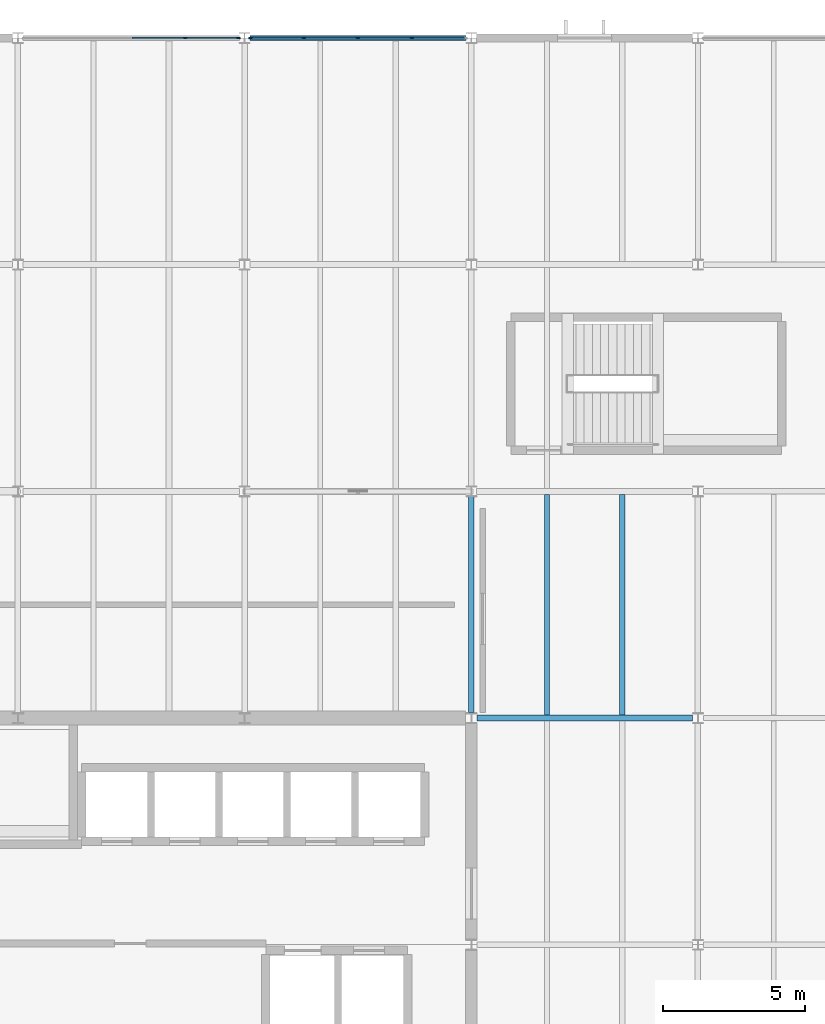
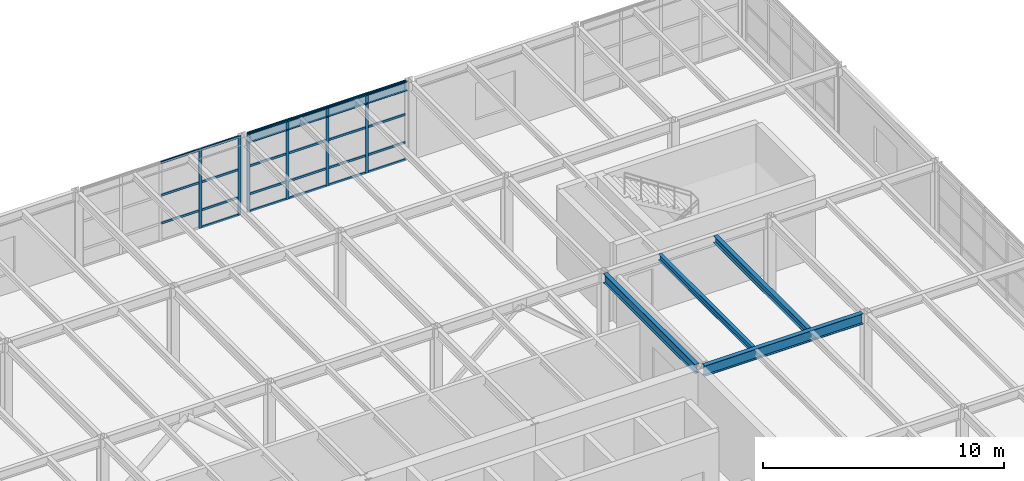
# One storey, part 19 of 50: 29 members, 5 beams, 2 elements without a shape of their own.
"""IFC4 building model written with IfcOpenShell, lengths in metres."""

import ifcopenshell
import ifcopenshell.guid

model = None  # the IFC model being written
_history = None  # IfcOwnerHistory: only IFC2X3 demands one
_inside = {}  # id of a spatial element -> (the spatial element, [elements in it])
_under = {}  # id of a project, library or spatial element -> (it, [spatial elements below it])
_declared = {}  # id of a project -> (the project, [libraries it declares])
_typed = {}  # id of a type object -> (the type object, [elements of that type])
_made_of = {}  # id of a material, layer set ... -> (it, [elements and type objects made of it])


def new_model(schema):
    """Start an empty IFC model of exactly this schema.

    Asked for "IFC4X3", IfcOpenShell would pick the latest addendum, in which some entities
    have other attributes; the version numbers below select the first issue.
    IFC2X3 requires an IfcOwnerHistory on every rooted entity: one is made here for all.
    """
    global model, _history
    if schema == "IFC4X3":
        model = ifcopenshell.file(schema_version=(4, 3, 0, 0))
    else:
        model = ifcopenshell.file(schema=schema)
    _inside.clear()
    _under.clear()
    _declared.clear()
    _typed.clear()
    _made_of.clear()
    _history = None
    if model.schema == "IFC2X3":
        org = make("IfcOrganization", Name="unknown")
        user = make(
            "IfcPersonAndOrganization",
            ThePerson=make("IfcPerson", FamilyName="unknown"),
            TheOrganization=org,
        )
        app = make(
            "IfcApplication",
            ApplicationDeveloper=org,
            Version="unknown",
            ApplicationFullName="unknown",
            ApplicationIdentifier="unknown",
        )
        _history = make(
            "IfcOwnerHistory",
            OwningUser=user,
            OwningApplication=app,
            ChangeAction="ADDED",
            CreationDate=0,
        )
    return model


def make(cls, **values):
    """One entity of the class cls with the attributes given. An attribute that is None is left unset."""
    return model.create_entity(
        cls, **{name: value for name, value in values.items() if value is not None}
    )


def rooted(cls, **values):
    """An entity with a GlobalId (a new one), such as an element, a storey or a relation."""
    return make(cls, GlobalId=ifcopenshell.guid.new(), OwnerHistory=_history, **values)


def si_unit(unit_type, name, prefix=None):
    """IfcSIUnit, for example si_unit("LENGTHUNIT", "METRE", prefix="MILLI")."""
    return make("IfcSIUnit", UnitType=unit_type, Prefix=prefix, Name=name)


def assignment(units):
    """IfcUnitAssignment: the units of a project."""
    return None if units is None else make("IfcUnitAssignment", Units=units)


def point(xyz):
    """IfcCartesianPoint."""
    return None if xyz is None else make("IfcCartesianPoint", Coordinates=xyz)


def direction(xyz):
    """IfcDirection."""
    return None if xyz is None else make("IfcDirection", DirectionRatios=xyz)


def frame(location, z_axis=None, x_axis=None):
    """IfcAxis2Placement3D, a coordinate frame: its origin and axes. An axis left out is left unset."""
    return make(
        "IfcAxis2Placement3D",
        Location=point(location),
        Axis=direction(z_axis),
        RefDirection=direction(x_axis),
    )


def frame_2d(location, x_axis=None):
    """IfcAxis2Placement2D, a coordinate frame in the plane: its origin and x axis."""
    return make(
        "IfcAxis2Placement2D", Location=point(location), RefDirection=direction(x_axis)
    )


def origin():
    """The frame at (0, 0, 0) with its axes left unset."""
    return frame((0.0, 0.0, 0.0))


def origin_2d():
    """The frame at (0, 0) in the plane with its x axis left unset."""
    return frame_2d((0.0, 0.0))


def place(relative_to, where):
    """IfcLocalPlacement: puts the frame where relative to a parent placement (None: the world)."""
    return make(
        "IfcLocalPlacement", PlacementRelTo=relative_to, RelativePlacement=where
    )


def context(
    kind, dimensions, precision=None, world=None, true_north=None, identifier=None
):
    """IfcGeometricRepresentationContext, for example the 3D "Model" context."""
    return make(
        "IfcGeometricRepresentationContext",
        ContextIdentifier=identifier,
        ContextType=kind,
        CoordinateSpaceDimension=dimensions,
        Precision=precision,
        WorldCoordinateSystem=world,
        TrueNorth=true_north,
    )


def subcontext(parent, identifier, kind, view, scale=None):
    """IfcGeometricRepresentationSubContext, for example "Body" below "Model"."""
    return make(
        "IfcGeometricRepresentationSubContext",
        ContextIdentifier=identifier,
        ContextType=kind,
        ParentContext=parent,
        TargetScale=scale,
        TargetView=view,
    )


def project(units=None, contexts=None):
    """IfcProject with its units and contexts."""
    return rooted(
        "IfcProject",
        Name="project",
        RepresentationContexts=contexts,
        UnitsInContext=assignment(units),
    )


def spatial(cls, under=None, at=None, **own):
    """A site, building, storey or space (cls), placed at a placement, below another one or the project."""
    s = rooted(cls, ObjectPlacement=at, **own)
    if under is not None:
        _under.setdefault(under.id(), (under, []))[1].append(s)
    return s


def profile(cls, at=None, kind="AREA", **sizes):
    """A parametric profile (cls). Its sizes go by their IFC names, for example OverallWidth=200.0."""
    return make(cls, ProfileType=kind, Position=at, **sizes)


def rectangle(**sizes):
    """IfcRectangleProfileDef."""
    return profile("IfcRectangleProfileDef", **sizes)


def i_section(**sizes):
    """IfcIShapeProfileDef."""
    return profile("IfcIShapeProfileDef", **sizes)


def extrude(swept, where, along, depth):
    """IfcExtrudedAreaSolid: the profile swept, set in the frame where, extruded along a direction by depth."""
    return make(
        "IfcExtrudedAreaSolid",
        SweptArea=swept,
        Position=where,
        ExtrudedDirection=direction(along),
        Depth=depth,
    )


def shape(context_of_items, identifier, shape_type, items):
    """IfcShapeRepresentation: the items that make up one representation, for example the "Body"."""
    return make(
        "IfcShapeRepresentation",
        ContextOfItems=context_of_items,
        RepresentationIdentifier=identifier,
        RepresentationType=shape_type,
        Items=items,
    )


def material(Name=None, Category=None):
    """IfcMaterial."""
    return make("IfcMaterial", Name=Name, Category=Category)


def layer(
    of_material, thickness, ventilated=None, Name=None, Category=None, Priority=None
):
    """IfcMaterialLayer: one layer of a wall or slab, of a material (None: an air gap)."""
    return make(
        "IfcMaterialLayer",
        Material=of_material,
        LayerThickness=thickness,
        IsVentilated=ventilated,
        Name=Name,
        Category=Category,
        Priority=Priority,
    )


def layer_set(layers, Name=None):
    """IfcMaterialLayerSet."""
    return make("IfcMaterialLayerSet", MaterialLayers=layers, LayerSetName=Name)


def material_profile(
    of_material, cross_section, Name=None, Category=None, Priority=None
):
    """IfcMaterialProfile: a cross section and its material."""
    return make(
        "IfcMaterialProfile",
        Name=Name,
        Material=of_material,
        Profile=cross_section,
        Priority=Priority,
        Category=Category,
    )


def profile_set(profiles, Name=None, composite=None):
    """IfcMaterialProfileSet."""
    return make(
        "IfcMaterialProfileSet",
        Name=Name,
        MaterialProfiles=profiles,
        CompositeProfile=composite,
    )


def made_of(thing, what):
    """Note that an element or type object is made of a material, layer set ...; save() writes the relation."""
    if what is not None:
        _made_of.setdefault(what.id(), (what, []))[1].append(thing)
    return thing


def type_object(cls, material=None, **own):
    """A type object (cls), such as IfcWallType, which elements share."""
    return made_of(rooted(cls, **own), material)


def element(
    cls,
    number,
    at=None,
    inside=None,
    cuts=None,
    type_object=None,
    material=None,
    context=None,
    identifier="Body",
    shape_type=None,
    held_by="IfcProductDefinitionShape",
    body=None,
    shapes=None,
    **own,
):
    """One element of the class cls, such as IfcWall. Its Tag is "e" and its number.

    at: its placement. inside: the storey or other place that contains it. cuts: it is an
    opening in that element (IfcRelVoidsElement). A single representation is given by context,
    identifier, shape_type and body (its items); several are given by shapes. held_by: the class
    of the entity that holds the representations. save() writes the other relations.
    """
    e = rooted(cls, Tag="e%d" % number, ObjectPlacement=at, **own)
    if body is not None:
        shapes = [shape(context, identifier, shape_type, body)]
    if shapes is not None:
        e.Representation = make(held_by, Representations=shapes)
    if inside is not None:
        _inside.setdefault(inside.id(), (inside, []))[1].append(e)
    if cuts is not None:
        rooted(
            "IfcRelVoidsElement", RelatingBuildingElement=cuts, RelatedOpeningElement=e
        )
    if type_object is not None:
        _typed.setdefault(type_object.id(), (type_object, []))[1].append(e)
    return made_of(e, material)


def aggregate(whole, parts):
    """IfcRelAggregates: a whole, such as a stair, and the parts it consists of."""
    return rooted("IfcRelAggregates", RelatingObject=whole, RelatedObjects=parts)


def save(model, path):
    """Write the relations noted so far, then the file.

    IfcRelAggregates (storeys below a building ...), IfcRelContainedInSpatialStructure (elements
    in a storey), IfcRelDefinesByType, IfcRelAssociatesMaterial and IfcRelDeclares: one each for
    every whole, place, type object, material and project.
    """
    for whole, parts in _under.values():
        aggregate(whole, parts)
    for where, things in _inside.values():
        rooted(
            "IfcRelContainedInSpatialStructure",
            RelatedElements=things,
            RelatingStructure=where,
        )
    for kind, things in _typed.values():
        rooted("IfcRelDefinesByType", RelatedObjects=things, RelatingType=kind)
    for what, things in _made_of.values():
        rooted("IfcRelAssociatesMaterial", RelatedObjects=things, RelatingMaterial=what)
    for by, libraries in _declared.values():
        rooted("IfcRelDeclares", RelatingContext=by, RelatedDefinitions=libraries)
    model.write(path)


model = new_model("IFC4")

# Units and contexts
model_context = context("Model", 3, precision=1e-05, world=origin(), true_north=direction((0.0, 1.0)))
body_context = subcontext(model_context, "Body", "Model", "MODEL_VIEW")
ifc_project = project(units=[si_unit("LENGTHUNIT", "METRE"), si_unit("AREAUNIT", "SQUARE_METRE"), si_unit("VOLUMEUNIT", "CUBIC_METRE"), si_unit("PLANEANGLEUNIT", "RADIAN"), si_unit("MASSUNIT", "GRAM", prefix="KILO")], contexts=[model_context])

# Site, building, storey
site_placement = place(None, origin())
site = spatial("IfcSite", under=ifc_project, at=site_placement, CompositionType="ELEMENT")
building_placement = place(site_placement, origin())
building = spatial("IfcBuilding", under=site, at=building_placement, Name="Varnela Railside Interchange", CompositionType="ELEMENT")
storey_placement = place(building_placement, frame((0.0, 0.0, 15.39990234375)))
storey = spatial("IfcBuildingStorey", under=building, at=storey_placement, Name="L03", CompositionType="ELEMENT", Elevation=15.39990234375)

# Beams
ifc_material_1 = material(Name="Steel AR 350 (350 MPa)", Category="steel")
ifc_material_profile_1 = material_profile(ifc_material_1, i_section(OverallWidth=0.1650390625, OverallDepth=0.31005859375, WebThickness=0.005859375, FlangeThickness=0.009765625, at=origin_2d()), Name="W310x38.7")
ifc_profile_set_1 = profile_set([ifc_material_profile_1], Name="Steel AR 350 (350 MPa)")
beam_type_1 = type_object("IfcBeamType", Name="Composite Floor Joist J-04", PredefinedType="JOIST", material=ifc_profile_set_1)
beam_1_placement = place(storey_placement, frame((38.669921875, 70.1044921875, 3.84521484375), z_axis=(0.0, 1.0, 0.0), x_axis=(-1.0, 0.0, 0.0)))
element("IfcBeam", 1, at=beam_1_placement, inside=storey, type_object=beam_type_1, Name="Composite Floor Joist J-04 (L03) (BM-2199)", PredefinedType="JOIST", context=body_context, shape_type="SweptSolid", body=[
    extrude(i_section(OverallWidth=0.1650390625, OverallDepth=0.31005859375, WebThickness=0.005859375, FlangeThickness=0.009765625, at=origin_2d()), origin(), (0.0, 0.0, 1.0), 7.791015625),
])
ifc_material_profile_2 = material_profile(ifc_material_1, i_section(OverallWidth=0.208984375, OverallDepth=0.532958984375, WebThickness=0.01025390625, FlangeThickness=0.015625, at=origin_2d()), Name="W530x92")
ifc_profile_set_2 = profile_set([ifc_material_profile_2], Name="Steel AR 350 (350 MPa)")
beam_type_2 = type_object("IfcBeamType", Name="Composite Girder B-18", PredefinedType="BEAM", material=ifc_profile_set_2)
beam_2_placement = place(storey_placement, frame((36.197021484375, 70.0, 3.733642578125), z_axis=(1.0, 0.0, 0.0), x_axis=(0.0, 1.0, 0.0)))
element("IfcBeam", 2, at=beam_2_placement, inside=storey, type_object=beam_type_2, Name="Composite Girder B-18 (L03) (BM-2246)", PredefinedType="BEAM", context=body_context, shape_type="SweptSolid", body=[
    extrude(i_section(OverallWidth=0.208984375, OverallDepth=0.532958984375, WebThickness=0.01025390625, FlangeThickness=0.015625, at=origin_2d()), origin(), (0.0, 0.0, 1.0), 7.616455078125),
])
ifc_material_profile_3 = material_profile(ifc_material_1, i_section(OverallWidth=0.202880859375, OverallDepth=0.346923828125, WebThickness=0.0078125, FlangeThickness=0.013427734375, at=origin_2d()), Name="W360x64")
ifc_profile_set_3 = profile_set([ifc_material_profile_3], Name="Steel AR 350 (350 MPa)")
beam_type_3 = type_object("IfcBeamType", Name="Composite Heavy Joist J-01", PredefinedType="JOIST", material=ifc_profile_set_3)
beam_3_placement = place(storey_placement, frame((41.330078125, 70.1044921875, 3.82666015625), z_axis=(0.0, 1.0, 0.0), x_axis=(-1.0, 0.0, 0.0)))
element("IfcBeam", 3, at=beam_3_placement, inside=storey, type_object=beam_type_3, Name="Composite Heavy Joist J-01 (L03) (BM-2200)", PredefinedType="JOIST", context=body_context, shape_type="SweptSolid", body=[
    extrude(i_section(OverallWidth=0.202880859375, OverallDepth=0.346923828125, WebThickness=0.0078125, FlangeThickness=0.013427734375, at=origin_2d()), origin(), (0.0, 0.0, 1.0), 7.791015625),
])
ifc_material_profile_4 = material_profile(ifc_material_1, i_section(OverallWidth=0.194091796875, OverallDepth=0.468994140625, WebThickness=0.0126953125, FlangeThickness=0.0205078125, at=origin_2d()), Name="W460x106")
ifc_profile_set_4 = profile_set([ifc_material_profile_4], Name="Steel AR 350 (350 MPa)")
beam_type_4 = type_object("IfcBeamType", Name="Composite Primary Beam B-19", PredefinedType="BEAM", material=ifc_profile_set_4)
beam_4_placement = place(storey_placement, frame((36.0, 70.1875, 3.765625), z_axis=(0.0, 1.0, 0.0), x_axis=(-1.0, 0.0, 0.0)))
element("IfcBeam", 4, at=beam_4_placement, inside=storey, type_object=beam_type_4, Name="Composite Primary Beam B-19 (L03) (BM-2326)", PredefinedType="BEAM", context=body_context, shape_type="SweptSolid", body=[
    extrude(i_section(OverallWidth=0.194091796875, OverallDepth=0.468994140625, WebThickness=0.0126953125, FlangeThickness=0.0205078125, at=origin_2d()), origin(), (0.0, 0.0, 1.0), 7.62841796875),
])

# Curtain wall, members
ifc_material_2 = material(Name="Aluminium 6063-T6", Category="aluminium")
ifc_layer = layer(ifc_material_2, 0.035888671875)
ifc_layer_set = layer_set([ifc_layer], Name="Aluminium 6063-T6")
curtain_wall_type = type_object("IfcCurtainWallType", Name="Operations Wing Facade Curtain Wall CW-03", PredefinedType="USERDEFINED", material=ifc_layer_set)
curtain_wall_1_placement = place(storey_placement, origin())
curtain_wall_1 = element("IfcCurtainWall", 5, at=curtain_wall_1_placement, inside=storey, type_object=curtain_wall_type, Name="Curtain Wall CW-03 (L03) (CW-081)", ObjectType="CURTAIN WALL", PredefinedType="USERDEFINED")
ifc_material_profile_5 = material_profile(ifc_material_2, rectangle(XDim=0.06005859375, YDim=0.139892578125, at=origin_2d()), Name="ALU 60x140")
ifc_profile_set_5 = profile_set([ifc_material_profile_5], Name="Aluminium 6063-T6")
member_type_1 = type_object("IfcMemberType", Name="Curtain Wall Mullion ML-01", PredefinedType="MULLION", material=ifc_profile_set_5)
member_1_placement = place(storey_placement, frame((25.90673828125, 94.0, 0.0), z_axis=(0.0, 0.0, 1.0), x_axis=(0.0, 1.0, 0.0)))
member_1 = element("IfcMember", 6, at=member_1_placement, type_object=member_type_1, Name="CW-03 mullion 4", PredefinedType="MULLION", context=body_context, shape_type="SweptSolid", body=[
    extrude(rectangle(XDim=0.06005859375, YDim=0.139892578125, at=origin_2d()), origin(), (0.0, 0.0, 1.0), 4.0),
])
member_2_placement = place(storey_placement, frame((27.783447265625, 94.0, 0.0), z_axis=(0.0, 0.0, 1.0), x_axis=(0.0, 1.0, 0.0)))
member_2 = element("IfcMember", 7, at=member_2_placement, type_object=member_type_1, Name="CW-03 mullion 5", PredefinedType="MULLION", context=body_context, shape_type="SweptSolid", body=[
    extrude(rectangle(XDim=0.06005859375, YDim=0.139892578125, at=origin_2d()), origin(), (0.0, 0.0, 1.0), 4.0),
])

curtain_wall_2_placement = place(storey_placement, origin())
curtain_wall_2 = element("IfcCurtainWall", 8, at=curtain_wall_2_placement, inside=storey, type_object=curtain_wall_type, Name="Curtain Wall CW-03 (L03) (CW-082)", ObjectType="CURTAIN WALL", PredefinedType="USERDEFINED")
member_3_placement = place(storey_placement, frame((28.216552734375, 94.0, 0.0), z_axis=(0.0, 0.0, 1.0), x_axis=(0.0, 1.0, 0.0)))
member_3 = element("IfcMember", 9, at=member_3_placement, type_object=member_type_1, Name="CW-03 mullion 1", PredefinedType="MULLION", context=body_context, shape_type="SweptSolid", body=[
    extrude(rectangle(XDim=0.06005859375, YDim=0.139892578125, at=origin_2d()), origin(), (0.0, 0.0, 1.0), 4.0),
])
member_4_placement = place(storey_placement, frame((30.09326171875, 94.0, 0.0), z_axis=(0.0, 0.0, 1.0), x_axis=(0.0, 1.0, 0.0)))
member_4 = element("IfcMember", 10, at=member_4_placement, type_object=member_type_1, Name="CW-03 mullion 2", PredefinedType="MULLION", context=body_context, shape_type="SweptSolid", body=[
    extrude(rectangle(XDim=0.06005859375, YDim=0.139892578125, at=origin_2d()), origin(), (0.0, 0.0, 1.0), 4.0),
])
member_5_placement = place(storey_placement, frame((32.0, 94.0, 0.0), z_axis=(0.0, 0.0, 1.0), x_axis=(0.0, 1.0, 0.0)))
member_5 = element("IfcMember", 11, at=member_5_placement, type_object=member_type_1, Name="CW-03 mullion 3", PredefinedType="MULLION", context=body_context, shape_type="SweptSolid", body=[
    extrude(rectangle(XDim=0.06005859375, YDim=0.139892578125, at=origin_2d()), origin(), (0.0, 0.0, 1.0), 4.0),
])
member_6_placement = place(storey_placement, frame((33.90673828125, 94.0, 0.0), z_axis=(0.0, 0.0, 1.0), x_axis=(0.0, 1.0, 0.0)))
member_6 = element("IfcMember", 12, at=member_6_placement, type_object=member_type_1, Name="CW-03 mullion 4", PredefinedType="MULLION", context=body_context, shape_type="SweptSolid", body=[
    extrude(rectangle(XDim=0.06005859375, YDim=0.139892578125, at=origin_2d()), origin(), (0.0, 0.0, 1.0), 4.0),
])

# Member
ifc_material_profile_6 = material_profile(ifc_material_2, rectangle(XDim=0.06005859375, YDim=0.110107421875, at=origin_2d()), Name="ALU 60x110")
ifc_profile_set_6 = profile_set([ifc_material_profile_6], Name="Aluminium 6063-T6")
member_type_2 = type_object("IfcMemberType", Name="Curtain Wall Transom TR-01", PredefinedType="USERDEFINED", material=ifc_profile_set_6)
member_7_placement = place(storey_placement, frame((24.030029296875, 94.0, 0.900146484375), z_axis=(1.0, 0.0, 0.0), x_axis=(0.0, 1.0, 0.0)))
member_7 = element("IfcMember", 13, at=member_7_placement, type_object=member_type_2, Name="CW-03 transom 3.2", ObjectType="TRANSOM", PredefinedType="USERDEFINED", context=body_context, shape_type="SweptSolid", body=[
    extrude(rectangle(XDim=0.06005859375, YDim=0.110107421875, at=origin_2d()), origin(), (0.0, 0.0, 1.0), 1.8466796875),
])

member_8_placement = place(storey_placement, frame((24.030029296875, 94.0, 2.320068359375), z_axis=(1.0, 0.0, 0.0), x_axis=(0.0, 1.0, 0.0)))
member_8 = element("IfcMember", 14, at=member_8_placement, type_object=member_type_2, Name="CW-03 transom 3.3", ObjectType="TRANSOM", PredefinedType="USERDEFINED", context=body_context, shape_type="SweptSolid", body=[
    extrude(rectangle(XDim=0.06005859375, YDim=0.110107421875, at=origin_2d()), origin(), (0.0, 0.0, 1.0), 1.8466796875),
])

member_9_placement = place(storey_placement, frame((24.030029296875, 94.0, 3.97021484375), z_axis=(1.0, 0.0, 0.0), x_axis=(0.0, 1.0, 0.0)))
member_9 = element("IfcMember", 15, at=member_9_placement, type_object=member_type_2, Name="CW-03 transom 3.4", ObjectType="TRANSOM", PredefinedType="USERDEFINED", context=body_context, shape_type="SweptSolid", body=[
    extrude(rectangle(XDim=0.06005859375, YDim=0.110107421875, at=origin_2d()), origin(), (0.0, 0.0, 1.0), 1.8466796875),
])

member_10_placement = place(storey_placement, frame((25.936767578125, 94.0, 0.030029296875), z_axis=(1.0, 0.0, 0.0), x_axis=(0.0, 1.0, 0.0)))
member_10 = element("IfcMember", 16, at=member_10_placement, type_object=member_type_2, Name="CW-03 transom 4.1", ObjectType="TRANSOM", PredefinedType="USERDEFINED", context=body_context, shape_type="SweptSolid", body=[
    extrude(rectangle(XDim=0.06005859375, YDim=0.110107421875, at=origin_2d()), origin(), (0.0, 0.0, 1.0), 1.816650390625),
])

member_11_placement = place(storey_placement, frame((25.936767578125, 94.0, 0.900146484375), z_axis=(1.0, 0.0, 0.0), x_axis=(0.0, 1.0, 0.0)))
member_11 = element("IfcMember", 17, at=member_11_placement, type_object=member_type_2, Name="CW-03 transom 4.2", ObjectType="TRANSOM", PredefinedType="USERDEFINED", context=body_context, shape_type="SweptSolid", body=[
    extrude(rectangle(XDim=0.06005859375, YDim=0.110107421875, at=origin_2d()), origin(), (0.0, 0.0, 1.0), 1.816650390625),
])

member_12_placement = place(storey_placement, frame((25.936767578125, 94.0, 2.320068359375), z_axis=(1.0, 0.0, 0.0), x_axis=(0.0, 1.0, 0.0)))
member_12 = element("IfcMember", 18, at=member_12_placement, type_object=member_type_2, Name="CW-03 transom 4.3", ObjectType="TRANSOM", PredefinedType="USERDEFINED", context=body_context, shape_type="SweptSolid", body=[
    extrude(rectangle(XDim=0.06005859375, YDim=0.110107421875, at=origin_2d()), origin(), (0.0, 0.0, 1.0), 1.816650390625),
])

member_13_placement = place(storey_placement, frame((25.936767578125, 94.0, 3.97021484375), z_axis=(1.0, 0.0, 0.0), x_axis=(0.0, 1.0, 0.0)))
member_13 = element("IfcMember", 19, at=member_13_placement, type_object=member_type_2, Name="CW-03 transom 4.4", ObjectType="TRANSOM", PredefinedType="USERDEFINED", context=body_context, shape_type="SweptSolid", body=[
    extrude(rectangle(XDim=0.06005859375, YDim=0.110107421875, at=origin_2d()), origin(), (0.0, 0.0, 1.0), 1.816650390625),
])

aggregate(curtain_wall_1, [member_1, member_2, member_7, member_8, member_9, member_10, member_11, member_12, member_13])

member_14_placement = place(storey_placement, frame((28.24658203125, 94.0, 0.030029296875), z_axis=(1.0, 0.0, 0.0), x_axis=(0.0, 1.0, 0.0)))
member_14 = element("IfcMember", 20, at=member_14_placement, type_object=member_type_2, Name="CW-03 transom 1.1", ObjectType="TRANSOM", PredefinedType="USERDEFINED", context=body_context, shape_type="SweptSolid", body=[
    extrude(rectangle(XDim=0.06005859375, YDim=0.110107421875, at=origin_2d()), origin(), (0.0, 0.0, 1.0), 1.816650390625),
])

member_15_placement = place(storey_placement, frame((28.24658203125, 94.0, 0.900146484375), z_axis=(1.0, 0.0, 0.0), x_axis=(0.0, 1.0, 0.0)))
member_15 = element("IfcMember", 21, at=member_15_placement, type_object=member_type_2, Name="CW-03 transom 1.2", ObjectType="TRANSOM", PredefinedType="USERDEFINED", context=body_context, shape_type="SweptSolid", body=[
    extrude(rectangle(XDim=0.06005859375, YDim=0.110107421875, at=origin_2d()), origin(), (0.0, 0.0, 1.0), 1.816650390625),
])

member_16_placement = place(storey_placement, frame((28.24658203125, 94.0, 2.320068359375), z_axis=(1.0, 0.0, 0.0), x_axis=(0.0, 1.0, 0.0)))
member_16 = element("IfcMember", 22, at=member_16_placement, type_object=member_type_2, Name="CW-03 transom 1.3", ObjectType="TRANSOM", PredefinedType="USERDEFINED", context=body_context, shape_type="SweptSolid", body=[
    extrude(rectangle(XDim=0.06005859375, YDim=0.110107421875, at=origin_2d()), origin(), (0.0, 0.0, 1.0), 1.816650390625),
])

member_17_placement = place(storey_placement, frame((28.24658203125, 94.0, 3.97021484375), z_axis=(1.0, 0.0, 0.0), x_axis=(0.0, 1.0, 0.0)))
member_17 = element("IfcMember", 23, at=member_17_placement, type_object=member_type_2, Name="CW-03 transom 1.4", ObjectType="TRANSOM", PredefinedType="USERDEFINED", context=body_context, shape_type="SweptSolid", body=[
    extrude(rectangle(XDim=0.06005859375, YDim=0.110107421875, at=origin_2d()), origin(), (0.0, 0.0, 1.0), 1.816650390625),
])

member_18_placement = place(storey_placement, frame((30.123291015625, 94.0, 0.030029296875), z_axis=(1.0, 0.0, 0.0), x_axis=(0.0, 1.0, 0.0)))
member_18 = element("IfcMember", 24, at=member_18_placement, type_object=member_type_2, Name="CW-03 transom 2.1", ObjectType="TRANSOM", PredefinedType="USERDEFINED", context=body_context, shape_type="SweptSolid", body=[
    extrude(rectangle(XDim=0.06005859375, YDim=0.110107421875, at=origin_2d()), origin(), (0.0, 0.0, 1.0), 1.8466796875),
])

member_19_placement = place(storey_placement, frame((30.123291015625, 94.0, 0.900146484375), z_axis=(1.0, 0.0, 0.0), x_axis=(0.0, 1.0, 0.0)))
member_19 = element("IfcMember", 25, at=member_19_placement, type_object=member_type_2, Name="CW-03 transom 2.2", ObjectType="TRANSOM", PredefinedType="USERDEFINED", context=body_context, shape_type="SweptSolid", body=[
    extrude(rectangle(XDim=0.06005859375, YDim=0.110107421875, at=origin_2d()), origin(), (0.0, 0.0, 1.0), 1.8466796875),
])

member_20_placement = place(storey_placement, frame((30.123291015625, 94.0, 2.320068359375), z_axis=(1.0, 0.0, 0.0), x_axis=(0.0, 1.0, 0.0)))
member_20 = element("IfcMember", 26, at=member_20_placement, type_object=member_type_2, Name="CW-03 transom 2.3", ObjectType="TRANSOM", PredefinedType="USERDEFINED", context=body_context, shape_type="SweptSolid", body=[
    extrude(rectangle(XDim=0.06005859375, YDim=0.110107421875, at=origin_2d()), origin(), (0.0, 0.0, 1.0), 1.8466796875),
])

member_21_placement = place(storey_placement, frame((30.123291015625, 94.0, 3.97021484375), z_axis=(1.0, 0.0, 0.0), x_axis=(0.0, 1.0, 0.0)))
member_21 = element("IfcMember", 27, at=member_21_placement, type_object=member_type_2, Name="CW-03 transom 2.4", ObjectType="TRANSOM", PredefinedType="USERDEFINED", context=body_context, shape_type="SweptSolid", body=[
    extrude(rectangle(XDim=0.06005859375, YDim=0.110107421875, at=origin_2d()), origin(), (0.0, 0.0, 1.0), 1.8466796875),
])

member_22_placement = place(storey_placement, frame((32.030029296875, 94.0, 0.030029296875), z_axis=(1.0, 0.0, 0.0), x_axis=(0.0, 1.0, 0.0)))
member_22 = element("IfcMember", 28, at=member_22_placement, type_object=member_type_2, Name="CW-03 transom 3.1", ObjectType="TRANSOM", PredefinedType="USERDEFINED", context=body_context, shape_type="SweptSolid", body=[
    extrude(rectangle(XDim=0.06005859375, YDim=0.110107421875, at=origin_2d()), origin(), (0.0, 0.0, 1.0), 1.8466796875),
])

member_23_placement = place(storey_placement, frame((32.030029296875, 94.0, 0.900146484375), z_axis=(1.0, 0.0, 0.0), x_axis=(0.0, 1.0, 0.0)))
member_23 = element("IfcMember", 29, at=member_23_placement, type_object=member_type_2, Name="CW-03 transom 3.2", ObjectType="TRANSOM", PredefinedType="USERDEFINED", context=body_context, shape_type="SweptSolid", body=[
    extrude(rectangle(XDim=0.06005859375, YDim=0.110107421875, at=origin_2d()), origin(), (0.0, 0.0, 1.0), 1.8466796875),
])

member_24_placement = place(storey_placement, frame((32.030029296875, 94.0, 2.320068359375), z_axis=(1.0, 0.0, 0.0), x_axis=(0.0, 1.0, 0.0)))
member_24 = element("IfcMember", 30, at=member_24_placement, type_object=member_type_2, Name="CW-03 transom 3.3", ObjectType="TRANSOM", PredefinedType="USERDEFINED", context=body_context, shape_type="SweptSolid", body=[
    extrude(rectangle(XDim=0.06005859375, YDim=0.110107421875, at=origin_2d()), origin(), (0.0, 0.0, 1.0), 1.8466796875),
])

member_25_placement = place(storey_placement, frame((32.030029296875, 94.0, 3.97021484375), z_axis=(1.0, 0.0, 0.0), x_axis=(0.0, 1.0, 0.0)))
member_25 = element("IfcMember", 31, at=member_25_placement, type_object=member_type_2, Name="CW-03 transom 3.4", ObjectType="TRANSOM", PredefinedType="USERDEFINED", context=body_context, shape_type="SweptSolid", body=[
    extrude(rectangle(XDim=0.06005859375, YDim=0.110107421875, at=origin_2d()), origin(), (0.0, 0.0, 1.0), 1.8466796875),
])

member_26_placement = place(storey_placement, frame((33.936767578125, 94.0, 0.030029296875), z_axis=(1.0, 0.0, 0.0), x_axis=(0.0, 1.0, 0.0)))
member_26 = element("IfcMember", 32, at=member_26_placement, type_object=member_type_2, Name="CW-03 transom 4.1", ObjectType="TRANSOM", PredefinedType="USERDEFINED", context=body_context, shape_type="SweptSolid", body=[
    extrude(rectangle(XDim=0.06005859375, YDim=0.110107421875, at=origin_2d()), origin(), (0.0, 0.0, 1.0), 1.816650390625),
])

member_27_placement = place(storey_placement, frame((33.936767578125, 94.0, 0.900146484375), z_axis=(1.0, 0.0, 0.0), x_axis=(0.0, 1.0, 0.0)))
member_27 = element("IfcMember", 33, at=member_27_placement, type_object=member_type_2, Name="CW-03 transom 4.2", ObjectType="TRANSOM", PredefinedType="USERDEFINED", context=body_context, shape_type="SweptSolid", body=[
    extrude(rectangle(XDim=0.06005859375, YDim=0.110107421875, at=origin_2d()), origin(), (0.0, 0.0, 1.0), 1.816650390625),
])

member_28_placement = place(storey_placement, frame((33.936767578125, 94.0, 2.320068359375), z_axis=(1.0, 0.0, 0.0), x_axis=(0.0, 1.0, 0.0)))
member_28 = element("IfcMember", 34, at=member_28_placement, type_object=member_type_2, Name="CW-03 transom 4.3", ObjectType="TRANSOM", PredefinedType="USERDEFINED", context=body_context, shape_type="SweptSolid", body=[
    extrude(rectangle(XDim=0.06005859375, YDim=0.110107421875, at=origin_2d()), origin(), (0.0, 0.0, 1.0), 1.816650390625),
])

member_29_placement = place(storey_placement, frame((33.936767578125, 94.0, 3.97021484375), z_axis=(1.0, 0.0, 0.0), x_axis=(0.0, 1.0, 0.0)))
member_29 = element("IfcMember", 35, at=member_29_placement, type_object=member_type_2, Name="CW-03 transom 4.4", ObjectType="TRANSOM", PredefinedType="USERDEFINED", context=body_context, shape_type="SweptSolid", body=[
    extrude(rectangle(XDim=0.06005859375, YDim=0.110107421875, at=origin_2d()), origin(), (0.0, 0.0, 1.0), 1.816650390625),
])

aggregate(curtain_wall_2, [member_3, member_4, member_5, member_6, member_14, member_15, member_16, member_17, member_18, member_19, member_20, member_21, member_22, member_23, member_24, member_25, member_26, member_27, member_28, member_29])

# Beam
ifc_material_profile_7 = material_profile(ifc_material_1, i_section(OverallWidth=0.19091796875, OverallDepth=0.4599609375, WebThickness=0.010009765625, FlangeThickness=0.01611328125, at=origin_2d()), Name="W460x82")
ifc_profile_set_7 = profile_set([ifc_material_profile_7], Name="Steel AR 350 (350 MPa)")
beam_type_5 = type_object("IfcBeamType", Name="Steel Perimeter Spandrel SP-01", PredefinedType="SPANDREL", material=ifc_profile_set_7)
beam_5_placement = place(storey_placement, frame((28.1865234375, 94.0, 3.77001953125), z_axis=(1.0, 0.0, 0.0), x_axis=(0.0, 1.0, 0.0)))
element("IfcBeam", 36, at=beam_5_placement, inside=storey, type_object=beam_type_5, Name="Steel Perimeter Spandrel SP-01 (L03) (BM-2272)", PredefinedType="SPANDREL", context=body_context, shape_type="SweptSolid", body=[
    extrude(i_section(OverallWidth=0.19091796875, OverallDepth=0.4599609375, WebThickness=0.010009765625, FlangeThickness=0.01611328125, at=origin_2d()), origin(), (0.0, 0.0, 1.0), 7.626953125),
])

save(model, "model.ifc")
